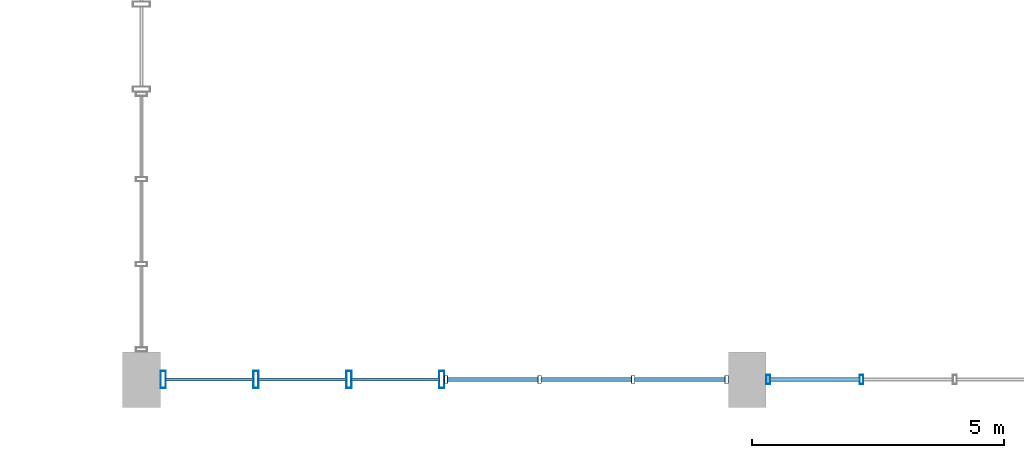
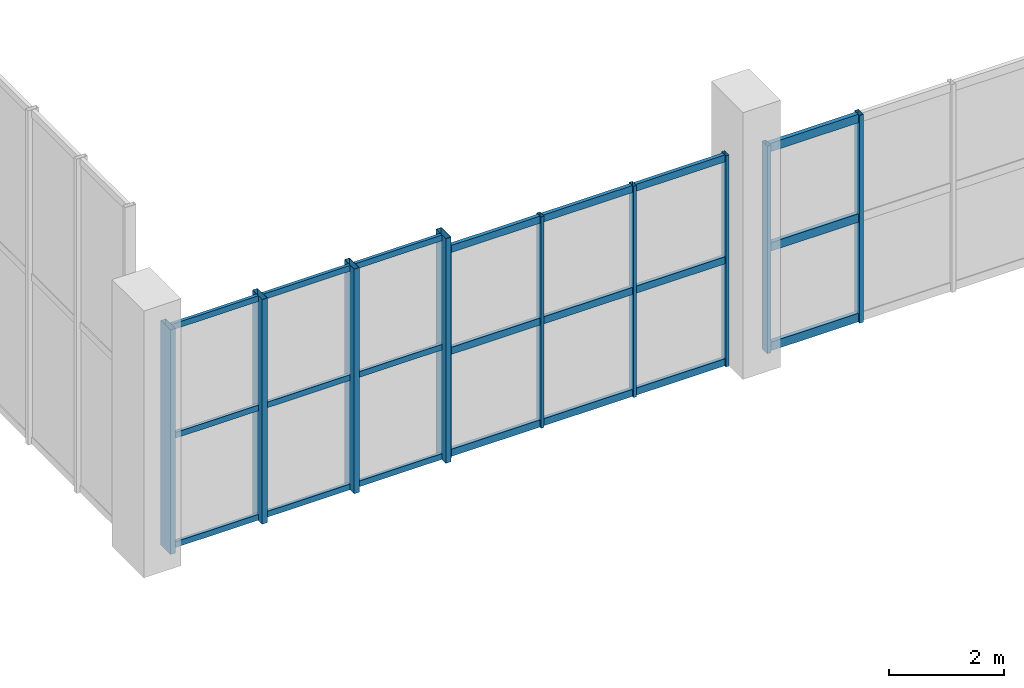
# One storey, part 8 of 28: 31 members, 3 elements without a shape of their own.
"""IFC4 building model written with IfcOpenShell, lengths in metres."""

from ifc_helpers import new_model, si_unit, direction, frame, origin, origin_2d, place, context, subcontext, project, spatial, hollow_rectangle, extrude, material, layer, layer_set, material_profile, profile_set, type_object, element, aggregate, save


model = new_model("IFC4")

# Units and contexts
model_context = context("Model", 3, precision=1e-05, world=origin(), true_north=direction((0.0, 1.0)))
body_context = subcontext(model_context, "Body", "Model", "MODEL_VIEW")
ifc_project = project(units=[si_unit("LENGTHUNIT", "METRE"), si_unit("AREAUNIT", "SQUARE_METRE"), si_unit("VOLUMEUNIT", "CUBIC_METRE"), si_unit("PLANEANGLEUNIT", "RADIAN"), si_unit("MASSUNIT", "GRAM", prefix="KILO"), si_unit("POWERUNIT", "WATT"), si_unit("THERMODYNAMICTEMPERATUREUNIT", "KELVIN")], contexts=[model_context])

# Site, building, storey
site_placement = place(None, origin())
site = spatial("IfcSite", under=ifc_project, at=site_placement, CompositionType="ELEMENT")
building_placement = place(site_placement, origin())
building = spatial("IfcBuilding", under=site, at=building_placement, Name="Kelmbourne Parkland Aquatics Centre", CompositionType="ELEMENT")
storey_placement = place(building_placement, frame((0.0, 0.0, 19.199951171875)))
storey = spatial("IfcBuildingStorey", under=building, at=storey_placement, Name="L04", CompositionType="ELEMENT", Elevation=19.199951171875)

# Curtain wall, members
ifc_material = material(Name="Thermally broken anodised aluminium framing", Category="aluminium")
ifc_layer_1 = layer(ifc_material, 0.179931640625)
ifc_layer_set_1 = layer_set([ifc_layer_1], Name="Thermally broken anodised aluminium framing")
curtain_wall_type_1 = type_object("IfcCurtainWallType", Name="CW-10", PredefinedType="NOTDEFINED", material=ifc_layer_set_1)
curtain_wall_1_placement = place(storey_placement, origin())
curtain_wall_1 = element("IfcCurtainWall", 1, at=curtain_wall_1_placement, inside=storey, type_object=curtain_wall_type_1, Name="Wave-hall clerestory curtain wall CW-L04-130", PredefinedType="NOTDEFINED")
ifc_material_profile_1 = material_profile(ifc_material, hollow_rectangle(XDim=0.06494140625, YDim=0.14990234375, WallThickness=0.00390625, at=origin_2d()), Name="CW-M 65x150")
ifc_profile_set_1 = profile_set([ifc_material_profile_1], Name="Thermally broken anodised aluminium framing")
member_type_1 = type_object("IfcMemberType", Name="MB-MUL-1", PredefinedType="MULLION", material=ifc_profile_set_1)
member_1_placement = place(storey_placement, frame((134.032470703125, 0.800048828125, 0.0), z_axis=(0.0, 0.0, 1.0), x_axis=(1.0, 0.0, 0.0)))
member_1 = element("IfcMember", 2, at=member_1_placement, type_object=member_type_1, Name="CW-L04-130 mullion 0", PredefinedType="MULLION", context=body_context, shape_type="SweptSolid", body=[
    extrude(hollow_rectangle(XDim=0.06494140625, YDim=0.14990234375, WallThickness=0.00390625, at=origin_2d()), origin(), (0.0, 0.0, 1.0), 4.471435546875),
])
member_2_placement = place(storey_placement, frame((135.88525390625, 0.800048828125, 0.0), z_axis=(0.0, 0.0, 1.0), x_axis=(1.0, 0.0, 0.0)))
member_2 = element("IfcMember", 3, at=member_2_placement, type_object=member_type_1, Name="CW-L04-130 mullion 1", PredefinedType="MULLION", context=body_context, shape_type="SweptSolid", body=[
    extrude(hollow_rectangle(XDim=0.06494140625, YDim=0.14990234375, WallThickness=0.00390625, at=origin_2d()), origin(), (0.0, 0.0, 1.0), 4.471435546875),
])
member_3_placement = place(storey_placement, frame((137.73779296875, 0.800048828125, 0.0), z_axis=(0.0, 0.0, 1.0), x_axis=(1.0, 0.0, 0.0)))
member_3 = element("IfcMember", 4, at=member_3_placement, type_object=member_type_1, Name="CW-L04-130 mullion 2", PredefinedType="MULLION", context=body_context, shape_type="SweptSolid", body=[
    extrude(hollow_rectangle(XDim=0.06494140625, YDim=0.14990234375, WallThickness=0.00390625, at=origin_2d()), origin(), (0.0, 0.0, 1.0), 4.471435546875),
])
member_4_placement = place(storey_placement, frame((139.590576171875, 0.800048828125, 0.0), z_axis=(0.0, 0.0, 1.0), x_axis=(1.0, 0.0, 0.0)))
member_4 = element("IfcMember", 5, at=member_4_placement, type_object=member_type_1, Name="CW-L04-130 mullion 3", PredefinedType="MULLION", context=body_context, shape_type="SweptSolid", body=[
    extrude(hollow_rectangle(XDim=0.06494140625, YDim=0.14990234375, WallThickness=0.00390625, at=origin_2d()), origin(), (0.0, 0.0, 1.0), 4.471435546875),
])

ifc_layer_2 = layer(ifc_material, 0.179931640625)
ifc_layer_set_2 = layer_set([ifc_layer_2], Name="Thermally broken anodised aluminium framing")
curtain_wall_type_2 = type_object("IfcCurtainWallType", Name="CW-11", PredefinedType="NOTDEFINED", material=ifc_layer_set_2)
curtain_wall_2_placement = place(storey_placement, origin())
curtain_wall_2 = element("IfcCurtainWall", 6, at=curtain_wall_2_placement, inside=storey, type_object=curtain_wall_type_2, Name="Wave-hall clerestory curtain wall CW-L04-131", PredefinedType="NOTDEFINED")
ifc_material_profile_2 = material_profile(ifc_material, hollow_rectangle(XDim=0.074951171875, YDim=0.179931640625, WallThickness=0.00439453125, at=origin_2d()), Name="CW-M 75x180")
ifc_profile_set_2 = profile_set([ifc_material_profile_2], Name="Thermally broken anodised aluminium framing")
member_type_2 = type_object("IfcMemberType", Name="MB-MUL-2", PredefinedType="MULLION", material=ifc_profile_set_2)
member_5_placement = place(storey_placement, frame((140.41455078125, 0.800048828125, 0.0), z_axis=(0.0, 0.0, 1.0), x_axis=(1.0, 0.0, 0.0)))
member_5 = element("IfcMember", 7, at=member_5_placement, type_object=member_type_2, Name="CW-L04-131 mullion 0", PredefinedType="MULLION", context=body_context, shape_type="SweptSolid", body=[
    extrude(hollow_rectangle(XDim=0.074951171875, YDim=0.179931640625, WallThickness=0.00439453125, at=origin_2d()), origin(), (0.0, 0.0, 1.0), 4.400634765625),
])
member_6_placement = place(storey_placement, frame((142.263916015625, 0.800048828125, 0.0), z_axis=(0.0, 0.0, 1.0), x_axis=(1.0, 0.0, 0.0)))
member_6 = element("IfcMember", 8, at=member_6_placement, type_object=member_type_2, Name="CW-L04-131 mullion 1", PredefinedType="MULLION", context=body_context, shape_type="SweptSolid", body=[
    extrude(hollow_rectangle(XDim=0.074951171875, YDim=0.179931640625, WallThickness=0.00439453125, at=origin_2d()), origin(), (0.0, 0.0, 1.0), 4.400634765625),
])

ifc_layer_3 = layer(ifc_material, 0.179931640625)
ifc_layer_set_3 = layer_set([ifc_layer_3], Name="Thermally broken anodised aluminium framing")
curtain_wall_type_3 = type_object("IfcCurtainWallType", Name="CW-09", PredefinedType="NOTDEFINED", material=ifc_layer_set_3)
curtain_wall_3_placement = place(storey_placement, origin())
curtain_wall_3 = element("IfcCurtainWall", 9, at=curtain_wall_3_placement, inside=storey, type_object=curtain_wall_type_3, Name="Wave-hall clerestory curtain wall CW-L04-129", PredefinedType="NOTDEFINED")
ifc_material_profile_3 = material_profile(ifc_material, hollow_rectangle(XDim=0.10498046875, YDim=0.340087890625, WallThickness=0.006103515625, at=origin_2d()), Name="CW-M 105x340")
ifc_profile_set_3 = profile_set([ifc_material_profile_3], Name="Thermally broken anodised aluminium framing")
member_type_3 = type_object("IfcMemberType", Name="MB-MUL-5", PredefinedType="MULLION", material=ifc_profile_set_3)
member_7_placement = place(storey_placement, frame((128.429443359375, 0.800048828125, 0.0), z_axis=(0.0, 0.0, 1.0), x_axis=(1.0, 0.0, 0.0)))
member_7 = element("IfcMember", 10, at=member_7_placement, type_object=member_type_3, Name="CW-L04-129 mullion 0", PredefinedType="MULLION", context=body_context, shape_type="SweptSolid", body=[
    extrude(hollow_rectangle(XDim=0.10498046875, YDim=0.340087890625, WallThickness=0.006103515625, at=origin_2d()), origin(), (0.0, 0.0, 1.0), 4.7548828125),
])
member_8_placement = place(storey_placement, frame((130.268798828125, 0.800048828125, 0.0), z_axis=(0.0, 0.0, 1.0), x_axis=(1.0, 0.0, 0.0)))
member_8 = element("IfcMember", 11, at=member_8_placement, type_object=member_type_3, Name="CW-L04-129 mullion 1", PredefinedType="MULLION", context=body_context, shape_type="SweptSolid", body=[
    extrude(hollow_rectangle(XDim=0.10498046875, YDim=0.340087890625, WallThickness=0.006103515625, at=origin_2d()), origin(), (0.0, 0.0, 1.0), 4.7548828125),
])
member_9_placement = place(storey_placement, frame((132.108154296875, 0.800048828125, 0.0), z_axis=(0.0, 0.0, 1.0), x_axis=(1.0, 0.0, 0.0)))
member_9 = element("IfcMember", 12, at=member_9_placement, type_object=member_type_3, Name="CW-L04-129 mullion 2", PredefinedType="MULLION", context=body_context, shape_type="SweptSolid", body=[
    extrude(hollow_rectangle(XDim=0.10498046875, YDim=0.340087890625, WallThickness=0.006103515625, at=origin_2d()), origin(), (0.0, 0.0, 1.0), 4.7548828125),
])
member_10_placement = place(storey_placement, frame((133.947509765625, 0.800048828125, 0.0), z_axis=(0.0, 0.0, 1.0), x_axis=(1.0, 0.0, 0.0)))
member_10 = element("IfcMember", 13, at=member_10_placement, type_object=member_type_3, Name="CW-L04-129 mullion 3", PredefinedType="MULLION", context=body_context, shape_type="SweptSolid", body=[
    extrude(hollow_rectangle(XDim=0.10498046875, YDim=0.340087890625, WallThickness=0.006103515625, at=origin_2d()), origin(), (0.0, 0.0, 1.0), 4.7548828125),
])
ifc_material_profile_4 = material_profile(ifc_material, hollow_rectangle(XDim=0.06494140625, YDim=0.1201171875, WallThickness=0.00341796875, at=origin_2d()), Name="CW-T 65x120")
ifc_profile_set_4 = profile_set([ifc_material_profile_4], Name="Thermally broken anodised aluminium framing")
member_type_4 = type_object("IfcMemberType", Name="MB-TRN-1", PredefinedType="USERDEFINED", material=ifc_profile_set_4)
member_11_placement = place(storey_placement, frame((128.47802734375, 0.800048828125, 0.06298828125), z_axis=(1.0, 0.0, 0.0), x_axis=(0.0, 1.0, 0.0)))
member_11 = element("IfcMember", 14, at=member_11_placement, type_object=member_type_4, Name="CW-L04-129 transom 0-0", ObjectType="TRANSOM", PredefinedType="USERDEFINED", context=body_context, shape_type="SweptSolid", body=[
    extrude(hollow_rectangle(XDim=0.06494140625, YDim=0.1201171875, WallThickness=0.00341796875, at=origin_2d()), origin(), (0.0, 0.0, 1.0), 1.7421875),
])
member_12_placement = place(storey_placement, frame((130.3173828125, 0.800048828125, 0.06298828125), z_axis=(1.0, 0.0, 0.0), x_axis=(0.0, 1.0, 0.0)))
member_12 = element("IfcMember", 15, at=member_12_placement, type_object=member_type_4, Name="CW-L04-129 transom 0-1", ObjectType="TRANSOM", PredefinedType="USERDEFINED", context=body_context, shape_type="SweptSolid", body=[
    extrude(hollow_rectangle(XDim=0.06494140625, YDim=0.1201171875, WallThickness=0.00341796875, at=origin_2d()), origin(), (0.0, 0.0, 1.0), 1.742431640625),
])
member_13_placement = place(storey_placement, frame((132.15673828125, 0.800048828125, 0.06298828125), z_axis=(1.0, 0.0, 0.0), x_axis=(0.0, 1.0, 0.0)))
member_13 = element("IfcMember", 16, at=member_13_placement, type_object=member_type_4, Name="CW-L04-129 transom 0-2", ObjectType="TRANSOM", PredefinedType="USERDEFINED", context=body_context, shape_type="SweptSolid", body=[
    extrude(hollow_rectangle(XDim=0.06494140625, YDim=0.1201171875, WallThickness=0.00341796875, at=origin_2d()), origin(), (0.0, 0.0, 1.0), 1.7421875),
])
member_14_placement = place(storey_placement, frame((128.47802734375, 0.800048828125, 2.37744140625), z_axis=(1.0, 0.0, 0.0), x_axis=(0.0, 1.0, 0.0)))
member_14 = element("IfcMember", 17, at=member_14_placement, type_object=member_type_4, Name="CW-L04-129 transom 1-0", ObjectType="TRANSOM", PredefinedType="USERDEFINED", context=body_context, shape_type="SweptSolid", body=[
    extrude(hollow_rectangle(XDim=0.06494140625, YDim=0.1201171875, WallThickness=0.00341796875, at=origin_2d()), origin(), (0.0, 0.0, 1.0), 1.7421875),
])
member_15_placement = place(storey_placement, frame((130.3173828125, 0.800048828125, 2.37744140625), z_axis=(1.0, 0.0, 0.0), x_axis=(0.0, 1.0, 0.0)))
member_15 = element("IfcMember", 18, at=member_15_placement, type_object=member_type_4, Name="CW-L04-129 transom 1-1", ObjectType="TRANSOM", PredefinedType="USERDEFINED", context=body_context, shape_type="SweptSolid", body=[
    extrude(hollow_rectangle(XDim=0.06494140625, YDim=0.1201171875, WallThickness=0.00341796875, at=origin_2d()), origin(), (0.0, 0.0, 1.0), 1.742431640625),
])
member_16_placement = place(storey_placement, frame((132.15673828125, 0.800048828125, 2.37744140625), z_axis=(1.0, 0.0, 0.0), x_axis=(0.0, 1.0, 0.0)))
member_16 = element("IfcMember", 19, at=member_16_placement, type_object=member_type_4, Name="CW-L04-129 transom 1-2", ObjectType="TRANSOM", PredefinedType="USERDEFINED", context=body_context, shape_type="SweptSolid", body=[
    extrude(hollow_rectangle(XDim=0.06494140625, YDim=0.1201171875, WallThickness=0.00341796875, at=origin_2d()), origin(), (0.0, 0.0, 1.0), 1.7421875),
])
member_17_placement = place(storey_placement, frame((128.47802734375, 0.800048828125, 4.69189453125), z_axis=(1.0, 0.0, 0.0), x_axis=(0.0, 1.0, 0.0)))
member_17 = element("IfcMember", 20, at=member_17_placement, type_object=member_type_4, Name="CW-L04-129 transom 2-0", ObjectType="TRANSOM", PredefinedType="USERDEFINED", context=body_context, shape_type="SweptSolid", body=[
    extrude(hollow_rectangle(XDim=0.06494140625, YDim=0.1201171875, WallThickness=0.00341796875, at=origin_2d()), origin(), (0.0, 0.0, 1.0), 1.7421875),
])
member_18_placement = place(storey_placement, frame((130.3173828125, 0.800048828125, 4.69189453125), z_axis=(1.0, 0.0, 0.0), x_axis=(0.0, 1.0, 0.0)))
member_18 = element("IfcMember", 21, at=member_18_placement, type_object=member_type_4, Name="CW-L04-129 transom 2-1", ObjectType="TRANSOM", PredefinedType="USERDEFINED", context=body_context, shape_type="SweptSolid", body=[
    extrude(hollow_rectangle(XDim=0.06494140625, YDim=0.1201171875, WallThickness=0.00341796875, at=origin_2d()), origin(), (0.0, 0.0, 1.0), 1.742431640625),
])
member_19_placement = place(storey_placement, frame((132.15673828125, 0.800048828125, 4.69189453125), z_axis=(1.0, 0.0, 0.0), x_axis=(0.0, 1.0, 0.0)))
member_19 = element("IfcMember", 22, at=member_19_placement, type_object=member_type_4, Name="CW-L04-129 transom 2-2", ObjectType="TRANSOM", PredefinedType="USERDEFINED", context=body_context, shape_type="SweptSolid", body=[
    extrude(hollow_rectangle(XDim=0.06494140625, YDim=0.1201171875, WallThickness=0.00341796875, at=origin_2d()), origin(), (0.0, 0.0, 1.0), 1.7421875),
])
aggregate(curtain_wall_3, [member_7, member_8, member_9, member_10, member_11, member_12, member_13, member_14, member_15, member_16, member_17, member_18, member_19])

# Member
ifc_material_profile_5 = material_profile(ifc_material, hollow_rectangle(XDim=0.074951171875, YDim=0.14990234375, WallThickness=0.00390625, at=origin_2d()), Name="CW-T 75x150")
ifc_profile_set_5 = profile_set([ifc_material_profile_5], Name="Thermally broken anodised aluminium framing")
member_type_5 = type_object("IfcMemberType", Name="MB-TRN-2", PredefinedType="USERDEFINED", material=ifc_profile_set_5)
member_20_placement = place(storey_placement, frame((134.06103515625, 0.800048828125, 0.078125), z_axis=(1.0, 0.0, 0.0), x_axis=(0.0, 1.0, 0.0)))
member_20 = element("IfcMember", 23, at=member_20_placement, type_object=member_type_5, Name="CW-L04-130 transom 0-0", ObjectType="TRANSOM", PredefinedType="USERDEFINED", context=body_context, shape_type="SweptSolid", body=[
    extrude(hollow_rectangle(XDim=0.074951171875, YDim=0.14990234375, WallThickness=0.00390625, at=origin_2d()), origin(), (0.0, 0.0, 1.0), 1.795654296875),
])

member_21_placement = place(storey_placement, frame((135.913818359375, 0.800048828125, 0.078125), z_axis=(1.0, 0.0, 0.0), x_axis=(0.0, 1.0, 0.0)))
member_21 = element("IfcMember", 24, at=member_21_placement, type_object=member_type_5, Name="CW-L04-130 transom 0-1", ObjectType="TRANSOM", PredefinedType="USERDEFINED", context=body_context, shape_type="SweptSolid", body=[
    extrude(hollow_rectangle(XDim=0.074951171875, YDim=0.14990234375, WallThickness=0.00390625, at=origin_2d()), origin(), (0.0, 0.0, 1.0), 1.79541015625),
])

member_22_placement = place(storey_placement, frame((137.766357421875, 0.800048828125, 0.078125), z_axis=(1.0, 0.0, 0.0), x_axis=(0.0, 1.0, 0.0)))
member_22 = element("IfcMember", 25, at=member_22_placement, type_object=member_type_5, Name="CW-L04-130 transom 0-2", ObjectType="TRANSOM", PredefinedType="USERDEFINED", context=body_context, shape_type="SweptSolid", body=[
    extrude(hollow_rectangle(XDim=0.074951171875, YDim=0.14990234375, WallThickness=0.00390625, at=origin_2d()), origin(), (0.0, 0.0, 1.0), 1.795654296875),
])

member_23_placement = place(storey_placement, frame((134.06103515625, 0.800048828125, 2.23583984375), z_axis=(1.0, 0.0, 0.0), x_axis=(0.0, 1.0, 0.0)))
member_23 = element("IfcMember", 26, at=member_23_placement, type_object=member_type_5, Name="CW-L04-130 transom 1-0", ObjectType="TRANSOM", PredefinedType="USERDEFINED", context=body_context, shape_type="SweptSolid", body=[
    extrude(hollow_rectangle(XDim=0.074951171875, YDim=0.14990234375, WallThickness=0.00390625, at=origin_2d()), origin(), (0.0, 0.0, 1.0), 1.795654296875),
])

member_24_placement = place(storey_placement, frame((135.913818359375, 0.800048828125, 2.23583984375), z_axis=(1.0, 0.0, 0.0), x_axis=(0.0, 1.0, 0.0)))
member_24 = element("IfcMember", 27, at=member_24_placement, type_object=member_type_5, Name="CW-L04-130 transom 1-1", ObjectType="TRANSOM", PredefinedType="USERDEFINED", context=body_context, shape_type="SweptSolid", body=[
    extrude(hollow_rectangle(XDim=0.074951171875, YDim=0.14990234375, WallThickness=0.00390625, at=origin_2d()), origin(), (0.0, 0.0, 1.0), 1.79541015625),
])

member_25_placement = place(storey_placement, frame((137.766357421875, 0.800048828125, 2.23583984375), z_axis=(1.0, 0.0, 0.0), x_axis=(0.0, 1.0, 0.0)))
member_25 = element("IfcMember", 28, at=member_25_placement, type_object=member_type_5, Name="CW-L04-130 transom 1-2", ObjectType="TRANSOM", PredefinedType="USERDEFINED", context=body_context, shape_type="SweptSolid", body=[
    extrude(hollow_rectangle(XDim=0.074951171875, YDim=0.14990234375, WallThickness=0.00390625, at=origin_2d()), origin(), (0.0, 0.0, 1.0), 1.795654296875),
])

member_26_placement = place(storey_placement, frame((134.06103515625, 0.800048828125, 4.3935546875), z_axis=(1.0, 0.0, 0.0), x_axis=(0.0, 1.0, 0.0)))
member_26 = element("IfcMember", 29, at=member_26_placement, type_object=member_type_5, Name="CW-L04-130 transom 2-0", ObjectType="TRANSOM", PredefinedType="USERDEFINED", context=body_context, shape_type="SweptSolid", body=[
    extrude(hollow_rectangle(XDim=0.074951171875, YDim=0.14990234375, WallThickness=0.00390625, at=origin_2d()), origin(), (0.0, 0.0, 1.0), 1.795654296875),
])

member_27_placement = place(storey_placement, frame((135.913818359375, 0.800048828125, 4.3935546875), z_axis=(1.0, 0.0, 0.0), x_axis=(0.0, 1.0, 0.0)))
member_27 = element("IfcMember", 30, at=member_27_placement, type_object=member_type_5, Name="CW-L04-130 transom 2-1", ObjectType="TRANSOM", PredefinedType="USERDEFINED", context=body_context, shape_type="SweptSolid", body=[
    extrude(hollow_rectangle(XDim=0.074951171875, YDim=0.14990234375, WallThickness=0.00390625, at=origin_2d()), origin(), (0.0, 0.0, 1.0), 1.79541015625),
])

member_28_placement = place(storey_placement, frame((137.766357421875, 0.800048828125, 4.3935546875), z_axis=(1.0, 0.0, 0.0), x_axis=(0.0, 1.0, 0.0)))
member_28 = element("IfcMember", 31, at=member_28_placement, type_object=member_type_5, Name="CW-L04-130 transom 2-2", ObjectType="TRANSOM", PredefinedType="USERDEFINED", context=body_context, shape_type="SweptSolid", body=[
    extrude(hollow_rectangle(XDim=0.074951171875, YDim=0.14990234375, WallThickness=0.00390625, at=origin_2d()), origin(), (0.0, 0.0, 1.0), 1.795654296875),
])

aggregate(curtain_wall_1, [member_1, member_2, member_3, member_4, member_20, member_21, member_22, member_23, member_24, member_25, member_26, member_27, member_28])

ifc_material_profile_6 = material_profile(ifc_material, hollow_rectangle(XDim=0.0849609375, YDim=0.179931640625, WallThickness=0.00439453125, at=origin_2d()), Name="CW-T 85x180")
ifc_profile_set_6 = profile_set([ifc_material_profile_6], Name="Thermally broken anodised aluminium framing")
member_type_6 = type_object("IfcMemberType", Name="MB-TRN-3", PredefinedType="USERDEFINED", material=ifc_profile_set_6)
member_29_placement = place(storey_placement, frame((140.447998046875, 0.800048828125, 0.093017578125), z_axis=(1.0, 0.0, 0.0), x_axis=(0.0, 1.0, 0.0)))
member_29 = element("IfcMember", 32, at=member_29_placement, type_object=member_type_6, Name="CW-L04-131 transom 0-0", ObjectType="TRANSOM", PredefinedType="USERDEFINED", context=body_context, shape_type="SweptSolid", body=[
    extrude(hollow_rectangle(XDim=0.0849609375, YDim=0.179931640625, WallThickness=0.00439453125, at=origin_2d()), origin(), (0.0, 0.0, 1.0), 1.7822265625),
])

member_30_placement = place(storey_placement, frame((140.447998046875, 0.800048828125, 2.200439453125), z_axis=(1.0, 0.0, 0.0), x_axis=(0.0, 1.0, 0.0)))
member_30 = element("IfcMember", 33, at=member_30_placement, type_object=member_type_6, Name="CW-L04-131 transom 1-0", ObjectType="TRANSOM", PredefinedType="USERDEFINED", context=body_context, shape_type="SweptSolid", body=[
    extrude(hollow_rectangle(XDim=0.0849609375, YDim=0.179931640625, WallThickness=0.00439453125, at=origin_2d()), origin(), (0.0, 0.0, 1.0), 1.7822265625),
])

member_31_placement = place(storey_placement, frame((140.447998046875, 0.800048828125, 4.3076171875), z_axis=(1.0, 0.0, 0.0), x_axis=(0.0, 1.0, 0.0)))
member_31 = element("IfcMember", 34, at=member_31_placement, type_object=member_type_6, Name="CW-L04-131 transom 2-0", ObjectType="TRANSOM", PredefinedType="USERDEFINED", context=body_context, shape_type="SweptSolid", body=[
    extrude(hollow_rectangle(XDim=0.0849609375, YDim=0.179931640625, WallThickness=0.00439453125, at=origin_2d()), origin(), (0.0, 0.0, 1.0), 1.7822265625),
])

aggregate(curtain_wall_2, [member_5, member_6, member_29, member_30, member_31])

save(model, "model.ifc")
